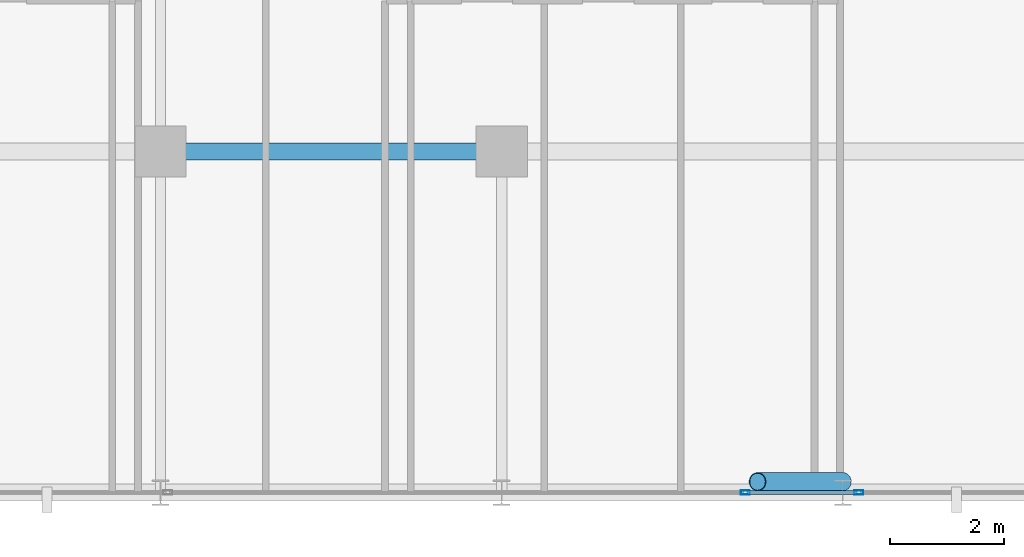
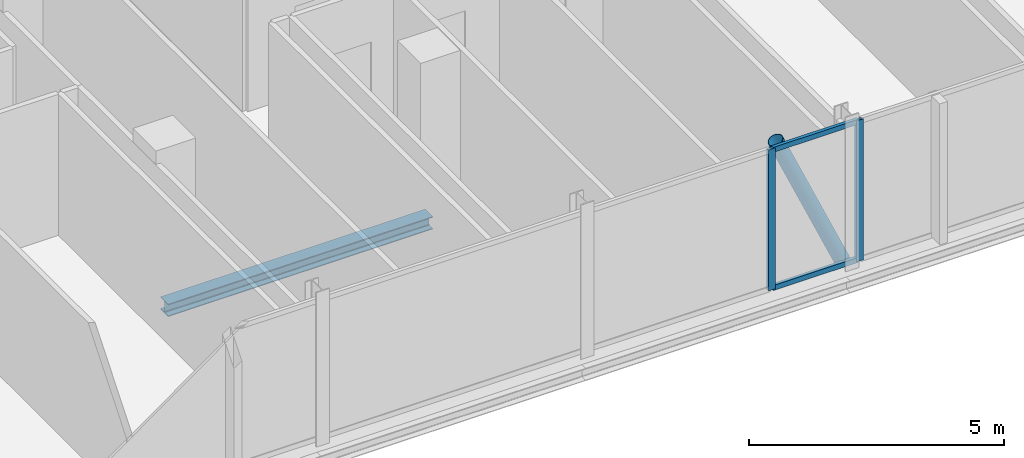
# One storey, part 10 of 29: 5 members, 1 beam, 2 elements without a shape of their own.
"""IFC4 building model written with IfcOpenShell, lengths in metres."""

from ifc_helpers import new_model, si_unit, direction, frame, origin, origin_2d, place, context, subcontext, project, spatial, hollow_rectangle, hollow_circle, i_section, extrude, material, layer, layer_set, material_profile, profile_set, type_object, element, aggregate, save


model = new_model("IFC4")

# Units and contexts
model_context = context("Model", 3, precision=1e-05, world=origin(), true_north=direction((0.0, 1.0)))
body_context = subcontext(model_context, "Body", "Model", "MODEL_VIEW")
ifc_project = project(units=[si_unit("LENGTHUNIT", "METRE"), si_unit("AREAUNIT", "SQUARE_METRE"), si_unit("VOLUMEUNIT", "CUBIC_METRE"), si_unit("PLANEANGLEUNIT", "RADIAN"), si_unit("MASSUNIT", "GRAM", prefix="KILO")], contexts=[model_context])

# Site, building, storey
site_placement = place(None, origin())
site = spatial("IfcSite", under=ifc_project, at=site_placement, CompositionType="ELEMENT")
building_placement = place(site_placement, origin())
building = spatial("IfcBuilding", under=site, at=building_placement, Name="Keshet Zoharim Tower", CompositionType="ELEMENT")
storey_placement = place(building_placement, frame((0.0, 0.0, 180.199951171875)))
storey = spatial("IfcBuildingStorey", under=building, at=storey_placement, Name="L44", CompositionType="ELEMENT", Elevation=180.199951171875)

# Beam
ifc_material_1 = material(Name="Steel S355", Category="steel")
ifc_material_profile_1 = material_profile(ifc_material_1, i_section(OverallWidth=0.300048828125, OverallDepth=0.300048828125, WebThickness=0.010986328125, FlangeThickness=0.01904296875, FilletRadius=0.027099609375, at=origin_2d()), Name="HEB300")
ifc_profile_set_1 = profile_set([ifc_material_profile_1], Name="Steel S355")
beam_type = type_object("IfcBeamType", Name="BM-PRI-HB300", PredefinedType="BEAM", material=ifc_profile_set_1)
beam_placement = place(storey_placement, frame((33.0, 6.699951171875, -0.4599609375), z_axis=(1.0, 0.0, 0.0), x_axis=(0.0, 1.0, 0.0)))
element("IfcBeam", 1, at=beam_placement, inside=storey, type_object=beam_type, Name="L44 Primary Girder X-007", PredefinedType="BEAM", context=body_context, shape_type="SweptSolid", body=[
    extrude(i_section(OverallWidth=0.300048828125, OverallDepth=0.300048828125, WebThickness=0.010986328125, FlangeThickness=0.01904296875, FilletRadius=0.027099609375, at=origin_2d()), origin(), (0.0, 0.0, 1.0), 6.0),
])

# Curtain wall, member
ifc_material_2 = material(Name="Aluminium 6063-T6", Category="aluminium")
ifc_layer = layer(ifc_material_2, 0.139892578125)
ifc_layer_set = layer_set([ifc_layer], Name="Aluminium 6063-T6")
curtain_wall_type = type_object("IfcCurtainWallType", Name="CW-SYS-05", PredefinedType="NOTDEFINED", material=ifc_layer_set)
curtain_wall_1_placement = place(storey_placement, origin())
curtain_wall_1 = element("IfcCurtainWall", 2, at=curtain_wall_1_placement, inside=storey, type_object=curtain_wall_type, Name="L44 Unitised Curtain Wall 06", PredefinedType="NOTDEFINED")
ifc_material_profile_2 = material_profile(ifc_material_2, hollow_rectangle(XDim=0.074951171875, YDim=0.159912109375, WallThickness=0.00390625, at=origin_2d()), Name="MUL-75x160")
ifc_profile_set_2 = profile_set([ifc_material_profile_2], Name="Aluminium 6063-T6")
member_type_1 = type_object("IfcMemberType", Name="CWM-M15", PredefinedType="MULLION", material=ifc_profile_set_2)
member_1_placement = place(storey_placement, frame((45.282958984375, 0.699951171875, 0.0), z_axis=(0.0, 0.0, 1.0), x_axis=(0.0, -1.0, 0.0)))
member_1 = element("IfcMember", 3, at=member_1_placement, type_object=member_type_1, Name="CW-05 mullion 2", PredefinedType="MULLION", context=body_context, shape_type="SweptSolid", body=[
    extrude(hollow_rectangle(XDim=0.074951171875, YDim=0.159912109375, WallThickness=0.00390625, at=origin_2d()), origin(), (0.0, 0.0, 1.0), 3.380126953125),
])
aggregate(curtain_wall_1, [member_1])

# Curtain wall, members
curtain_wall_2_placement = place(storey_placement, origin())
curtain_wall_2 = element("IfcCurtainWall", 4, at=curtain_wall_2_placement, inside=storey, type_object=curtain_wall_type, Name="L44 Unitised Curtain Wall 06 Part 2", PredefinedType="NOTDEFINED")
member_2_placement = place(storey_placement, frame((43.287109375, 0.699951171875, 0.0), z_axis=(0.0, 0.0, 1.0), x_axis=(0.0, -1.0, 0.0)))
member_2 = element("IfcMember", 5, at=member_2_placement, type_object=member_type_1, Name="CW-05 mullion 2", PredefinedType="MULLION", context=body_context, shape_type="SweptSolid", body=[
    extrude(hollow_rectangle(XDim=0.074951171875, YDim=0.159912109375, WallThickness=0.00390625, at=origin_2d()), origin(), (0.0, 0.0, 1.0), 3.380126953125),
])
ifc_material_profile_3 = material_profile(ifc_material_2, hollow_rectangle(XDim=0.074951171875, YDim=0.1201171875, WallThickness=0.00390625, at=origin_2d()), Name="TRN-75x120")
ifc_profile_set_3 = profile_set([ifc_material_profile_3], Name="Aluminium 6063-T6")
member_type_2 = type_object("IfcMemberType", Name="CWT-T12", PredefinedType="USERDEFINED", material=ifc_profile_set_3)
member_3_placement = place(storey_placement, frame((45.248046875, 0.699951171875, 0.03515625), z_axis=(-1.0, 0.0, 0.0), x_axis=(0.0, -1.0, 0.0)))
member_3 = element("IfcMember", 6, at=member_3_placement, type_object=member_type_2, Name="CW-05 transom 1.1", ObjectType="TRANSOM", PredefinedType="USERDEFINED", context=body_context, shape_type="SweptSolid", body=[
    extrude(hollow_rectangle(XDim=0.074951171875, YDim=0.1201171875, WallThickness=0.00390625, at=origin_2d()), origin(), (0.0, 0.0, 1.0), 1.926025390625),
])
member_4_placement = place(storey_placement, frame((45.248046875, 0.699951171875, 3.344970703125), z_axis=(-1.0, 0.0, 0.0), x_axis=(0.0, -1.0, 0.0)))
member_4 = element("IfcMember", 7, at=member_4_placement, type_object=member_type_2, Name="CW-05 transom 1.2", ObjectType="TRANSOM", PredefinedType="USERDEFINED", context=body_context, shape_type="SweptSolid", body=[
    extrude(hollow_rectangle(XDim=0.074951171875, YDim=0.1201171875, WallThickness=0.00390625, at=origin_2d()), origin(), (0.0, 0.0, 1.0), 1.926025390625),
])
aggregate(curtain_wall_2, [member_2, member_3, member_4])

# Member
ifc_material_profile_4 = material_profile(ifc_material_1, hollow_circle(Radius=0.161865234375, WallThickness=0.012451171875, at=origin_2d()), Name="CHS323x12.5")
ifc_profile_set_4 = profile_set([ifc_material_profile_4], Name="Steel S355")
member_type_3 = type_object("IfcMemberType", Name="MB-BR-C323", PredefinedType="BRACE", material=ifc_profile_set_4)
member_5_placement = place(storey_placement, frame((45.0, 0.889892578125, 0.0), z_axis=(-0.405623857875, 0.0, 0.914040089888), x_axis=(0.0, -1.0, 0.0)))
element("IfcMember", 8, at=member_5_placement, inside=storey, type_object=member_type_3, Name="L44 Perimeter Tube Brace 03", PredefinedType="BRACE", context=body_context, shape_type="SweptSolid", body=[
    extrude(hollow_circle(Radius=0.161865234375, WallThickness=0.012451171875, at=origin_2d()), origin(), (0.0, 0.0, 1.0), 3.697998046875),
])

save(model, "model.ifc")
